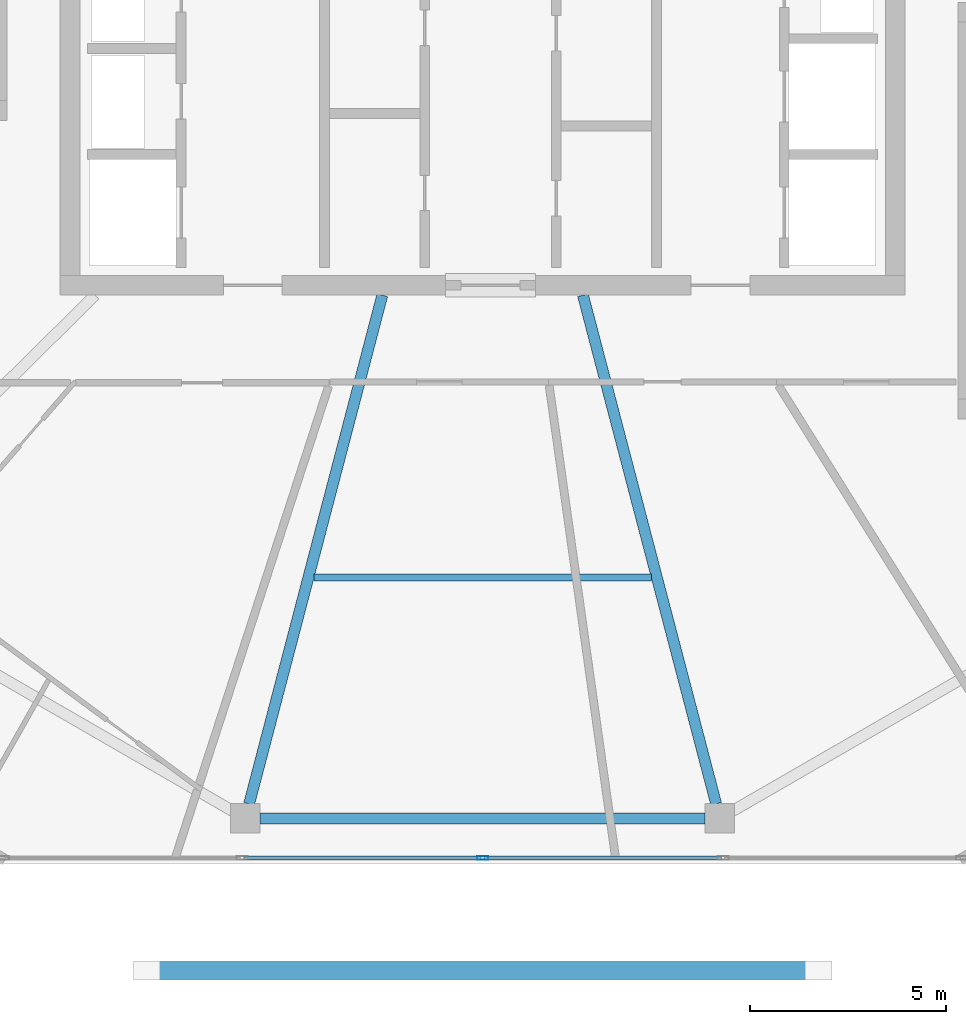
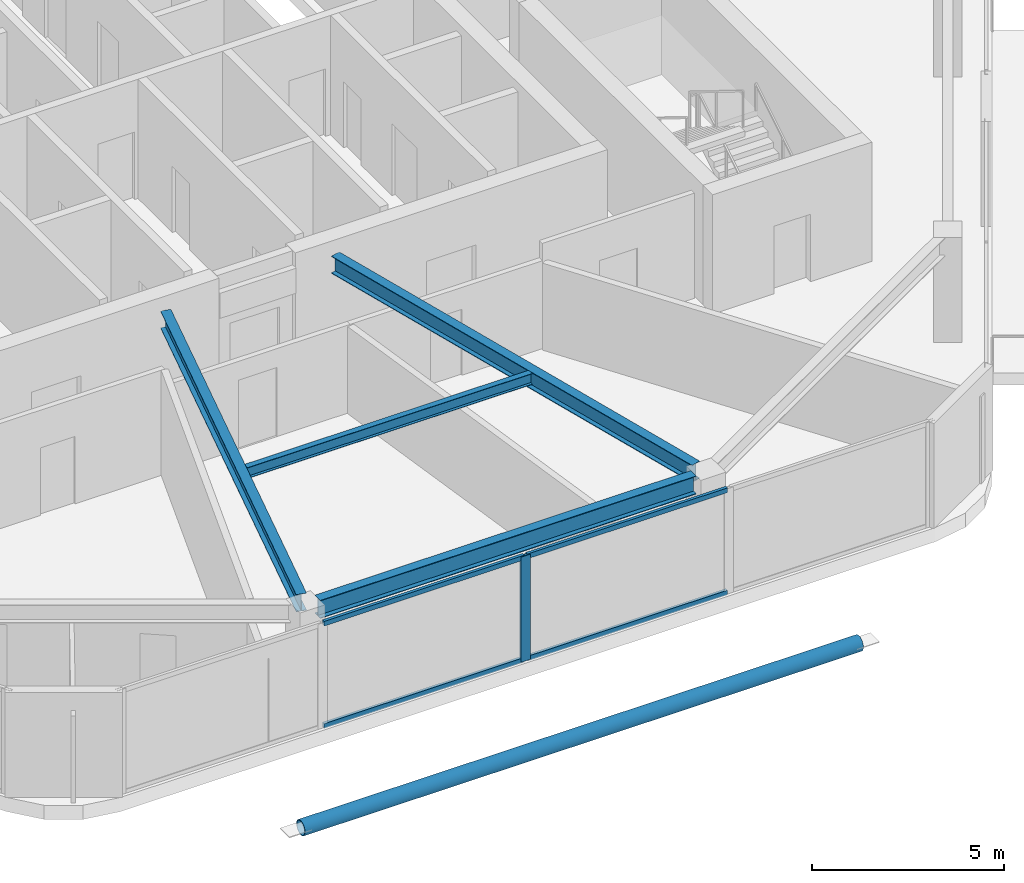
# One storey, part 4 of 22: 6 members, 4 beams, 1 element without a shape of its own.
"""IFC4 building model written with IfcOpenShell, lengths in metres."""

import ifcopenshell
import ifcopenshell.guid

model = None  # the IFC model being written
_history = None  # IfcOwnerHistory: only IFC2X3 demands one
_inside = {}  # id of a spatial element -> (the spatial element, [elements in it])
_under = {}  # id of a project, library or spatial element -> (it, [spatial elements below it])
_declared = {}  # id of a project -> (the project, [libraries it declares])
_typed = {}  # id of a type object -> (the type object, [elements of that type])
_made_of = {}  # id of a material, layer set ... -> (it, [elements and type objects made of it])


def new_model(schema):
    """Start an empty IFC model of exactly this schema.

    Asked for "IFC4X3", IfcOpenShell would pick the latest addendum, in which some entities
    have other attributes; the version numbers below select the first issue.
    IFC2X3 requires an IfcOwnerHistory on every rooted entity: one is made here for all.
    """
    global model, _history
    if schema == "IFC4X3":
        model = ifcopenshell.file(schema_version=(4, 3, 0, 0))
    else:
        model = ifcopenshell.file(schema=schema)
    _inside.clear()
    _under.clear()
    _declared.clear()
    _typed.clear()
    _made_of.clear()
    _history = None
    if model.schema == "IFC2X3":
        org = make("IfcOrganization", Name="unknown")
        user = make(
            "IfcPersonAndOrganization",
            ThePerson=make("IfcPerson", FamilyName="unknown"),
            TheOrganization=org,
        )
        app = make(
            "IfcApplication",
            ApplicationDeveloper=org,
            Version="unknown",
            ApplicationFullName="unknown",
            ApplicationIdentifier="unknown",
        )
        _history = make(
            "IfcOwnerHistory",
            OwningUser=user,
            OwningApplication=app,
            ChangeAction="ADDED",
            CreationDate=0,
        )
    return model


def make(cls, **values):
    """One entity of the class cls with the attributes given. An attribute that is None is left unset."""
    return model.create_entity(
        cls, **{name: value for name, value in values.items() if value is not None}
    )


def rooted(cls, **values):
    """An entity with a GlobalId (a new one), such as an element, a storey or a relation."""
    return make(cls, GlobalId=ifcopenshell.guid.new(), OwnerHistory=_history, **values)


def si_unit(unit_type, name, prefix=None):
    """IfcSIUnit, for example si_unit("LENGTHUNIT", "METRE", prefix="MILLI")."""
    return make("IfcSIUnit", UnitType=unit_type, Prefix=prefix, Name=name)


def assignment(units):
    """IfcUnitAssignment: the units of a project."""
    return None if units is None else make("IfcUnitAssignment", Units=units)


def point(xyz):
    """IfcCartesianPoint."""
    return None if xyz is None else make("IfcCartesianPoint", Coordinates=xyz)


def direction(xyz):
    """IfcDirection."""
    return None if xyz is None else make("IfcDirection", DirectionRatios=xyz)


def frame(location, z_axis=None, x_axis=None):
    """IfcAxis2Placement3D, a coordinate frame: its origin and axes. An axis left out is left unset."""
    return make(
        "IfcAxis2Placement3D",
        Location=point(location),
        Axis=direction(z_axis),
        RefDirection=direction(x_axis),
    )


def frame_2d(location, x_axis=None):
    """IfcAxis2Placement2D, a coordinate frame in the plane: its origin and x axis."""
    return make(
        "IfcAxis2Placement2D", Location=point(location), RefDirection=direction(x_axis)
    )


def origin():
    """The frame at (0, 0, 0) with its axes left unset."""
    return frame((0.0, 0.0, 0.0))


def origin_2d():
    """The frame at (0, 0) in the plane with its x axis left unset."""
    return frame_2d((0.0, 0.0))


def place(relative_to, where):
    """IfcLocalPlacement: puts the frame where relative to a parent placement (None: the world)."""
    return make(
        "IfcLocalPlacement", PlacementRelTo=relative_to, RelativePlacement=where
    )


def context(
    kind, dimensions, precision=None, world=None, true_north=None, identifier=None
):
    """IfcGeometricRepresentationContext, for example the 3D "Model" context."""
    return make(
        "IfcGeometricRepresentationContext",
        ContextIdentifier=identifier,
        ContextType=kind,
        CoordinateSpaceDimension=dimensions,
        Precision=precision,
        WorldCoordinateSystem=world,
        TrueNorth=true_north,
    )


def subcontext(parent, identifier, kind, view, scale=None):
    """IfcGeometricRepresentationSubContext, for example "Body" below "Model"."""
    return make(
        "IfcGeometricRepresentationSubContext",
        ContextIdentifier=identifier,
        ContextType=kind,
        ParentContext=parent,
        TargetScale=scale,
        TargetView=view,
    )


def project(units=None, contexts=None):
    """IfcProject with its units and contexts."""
    return rooted(
        "IfcProject",
        Name="project",
        RepresentationContexts=contexts,
        UnitsInContext=assignment(units),
    )


def spatial(cls, under=None, at=None, **own):
    """A site, building, storey or space (cls), placed at a placement, below another one or the project."""
    s = rooted(cls, ObjectPlacement=at, **own)
    if under is not None:
        _under.setdefault(under.id(), (under, []))[1].append(s)
    return s


def profile(cls, at=None, kind="AREA", **sizes):
    """A parametric profile (cls). Its sizes go by their IFC names, for example OverallWidth=200.0."""
    return make(cls, ProfileType=kind, Position=at, **sizes)


def hollow_rectangle(**sizes):
    """IfcRectangleHollowProfileDef."""
    return profile("IfcRectangleHollowProfileDef", **sizes)


def hollow_circle(**sizes):
    """IfcCircleHollowProfileDef."""
    return profile("IfcCircleHollowProfileDef", **sizes)


def i_section(**sizes):
    """IfcIShapeProfileDef."""
    return profile("IfcIShapeProfileDef", **sizes)


def extrude(swept, where, along, depth):
    """IfcExtrudedAreaSolid: the profile swept, set in the frame where, extruded along a direction by depth."""
    return make(
        "IfcExtrudedAreaSolid",
        SweptArea=swept,
        Position=where,
        ExtrudedDirection=direction(along),
        Depth=depth,
    )


def shape(context_of_items, identifier, shape_type, items):
    """IfcShapeRepresentation: the items that make up one representation, for example the "Body"."""
    return make(
        "IfcShapeRepresentation",
        ContextOfItems=context_of_items,
        RepresentationIdentifier=identifier,
        RepresentationType=shape_type,
        Items=items,
    )


def material(Name=None, Category=None):
    """IfcMaterial."""
    return make("IfcMaterial", Name=Name, Category=Category)


def material_profile(
    of_material, cross_section, Name=None, Category=None, Priority=None
):
    """IfcMaterialProfile: a cross section and its material."""
    return make(
        "IfcMaterialProfile",
        Name=Name,
        Material=of_material,
        Profile=cross_section,
        Priority=Priority,
        Category=Category,
    )


def profile_set(profiles, Name=None, composite=None):
    """IfcMaterialProfileSet."""
    return make(
        "IfcMaterialProfileSet",
        Name=Name,
        MaterialProfiles=profiles,
        CompositeProfile=composite,
    )


def made_of(thing, what):
    """Note that an element or type object is made of a material, layer set ...; save() writes the relation."""
    if what is not None:
        _made_of.setdefault(what.id(), (what, []))[1].append(thing)
    return thing


def type_object(cls, material=None, **own):
    """A type object (cls), such as IfcWallType, which elements share."""
    return made_of(rooted(cls, **own), material)


def element(
    cls,
    number,
    at=None,
    inside=None,
    cuts=None,
    type_object=None,
    material=None,
    context=None,
    identifier="Body",
    shape_type=None,
    held_by="IfcProductDefinitionShape",
    body=None,
    shapes=None,
    **own,
):
    """One element of the class cls, such as IfcWall. Its Tag is "e" and its number.

    at: its placement. inside: the storey or other place that contains it. cuts: it is an
    opening in that element (IfcRelVoidsElement). A single representation is given by context,
    identifier, shape_type and body (its items); several are given by shapes. held_by: the class
    of the entity that holds the representations. save() writes the other relations.
    """
    e = rooted(cls, Tag="e%d" % number, ObjectPlacement=at, **own)
    if body is not None:
        shapes = [shape(context, identifier, shape_type, body)]
    if shapes is not None:
        e.Representation = make(held_by, Representations=shapes)
    if inside is not None:
        _inside.setdefault(inside.id(), (inside, []))[1].append(e)
    if cuts is not None:
        rooted(
            "IfcRelVoidsElement", RelatingBuildingElement=cuts, RelatedOpeningElement=e
        )
    if type_object is not None:
        _typed.setdefault(type_object.id(), (type_object, []))[1].append(e)
    return made_of(e, material)


def aggregate(whole, parts):
    """IfcRelAggregates: a whole, such as a stair, and the parts it consists of."""
    return rooted("IfcRelAggregates", RelatingObject=whole, RelatedObjects=parts)


def save(model, path):
    """Write the relations noted so far, then the file.

    IfcRelAggregates (storeys below a building ...), IfcRelContainedInSpatialStructure (elements
    in a storey), IfcRelDefinesByType, IfcRelAssociatesMaterial and IfcRelDeclares: one each for
    every whole, place, type object, material and project.
    """
    for whole, parts in _under.values():
        aggregate(whole, parts)
    for where, things in _inside.values():
        rooted(
            "IfcRelContainedInSpatialStructure",
            RelatedElements=things,
            RelatingStructure=where,
        )
    for kind, things in _typed.values():
        rooted("IfcRelDefinesByType", RelatedObjects=things, RelatingType=kind)
    for what, things in _made_of.values():
        rooted("IfcRelAssociatesMaterial", RelatedObjects=things, RelatingMaterial=what)
    for by, libraries in _declared.values():
        rooted("IfcRelDeclares", RelatingContext=by, RelatedDefinitions=libraries)
    model.write(path)


model = new_model("IFC4")

# Units and contexts
model_context = context("Model", 3, precision=1e-05, world=origin(), true_north=direction((0.0, 1.0)))
body_context = subcontext(model_context, "Body", "Model", "MODEL_VIEW")
ifc_project = project(units=[si_unit("LENGTHUNIT", "METRE"), si_unit("AREAUNIT", "SQUARE_METRE"), si_unit("VOLUMEUNIT", "CUBIC_METRE"), si_unit("PLANEANGLEUNIT", "RADIAN"), si_unit("MASSUNIT", "GRAM", prefix="KILO")], contexts=[model_context])

# Site, building, storey
site_placement = place(None, origin())
site = spatial("IfcSite", under=ifc_project, at=site_placement, CompositionType="ELEMENT")
building_placement = place(site_placement, origin())
building = spatial("IfcBuilding", under=site, at=building_placement, Name="Zuhravey Tower", CompositionType="ELEMENT")
storey_placement = place(building_placement, frame((0.0, 0.0, 357.60009765625)))
storey = spatial("IfcBuildingStorey", under=building, at=storey_placement, Name="L91", CompositionType="ELEMENT", Elevation=357.60009765625)

# Curtain wall, members
ifc_material_1 = material(Name="Thermally broken anodised aluminium", Category="aluminium")
curtain_wall_type = type_object("IfcCurtainWallType", Name="Zone 3-4 High-Rise Curtain Wall CW4", PredefinedType="NOTDEFINED", material=ifc_material_1)
curtain_wall_placement = place(storey_placement, origin())
curtain_wall = element("IfcCurtainWall", 1, at=curtain_wall_placement, inside=storey, type_object=curtain_wall_type, Name="L91 CW4 CW-L91-F5-1", PredefinedType="NOTDEFINED")
ifc_material_2 = material(Name="Anodised aluminium", Category="aluminium")
ifc_material_profile_1 = material_profile(ifc_material_2, hollow_rectangle(XDim=0.090087890625, YDim=0.284912109375, WallThickness=0.0048828125, at=origin_2d()), Name="ALU-RHS-90x285x5")
ifc_profile_set_1 = profile_set([ifc_material_profile_1], Name="Anodised aluminium")
member_type_1 = type_object("IfcMemberType", Name="Curtain-Wall Mullion 90x180", PredefinedType="MULLION", material=ifc_profile_set_1)
member_1_placement = place(storey_placement, frame((36.0, 7.92578125, 0.0), z_axis=(0.0, 0.0, 1.0), x_axis=(0.0, -1.0, 0.0)))
member_1 = element("IfcMember", 2, at=member_1_placement, type_object=member_type_1, Name="CW4 mullion 3", PredefinedType="MULLION", context=body_context, shape_type="SweptSolid", body=[
    extrude(hollow_rectangle(XDim=0.090087890625, YDim=0.284912109375, WallThickness=0.0048828125, at=origin_2d()), origin(), (0.0, 0.0, 1.0), 3.349853515625),
])
ifc_material_profile_2 = material_profile(ifc_material_2, hollow_rectangle(XDim=0.090087890625, YDim=0.14990234375, WallThickness=0.0048828125, at=origin_2d()), Name="ALU-RHS-90x150x5")
ifc_profile_set_2 = profile_set([ifc_material_profile_2], Name="Anodised aluminium")
member_type_2 = type_object("IfcMemberType", Name="Curtain-Wall Transom 90x150", PredefinedType="USERDEFINED", material=ifc_profile_set_2)
member_2_placement = place(storey_placement, frame((42.07470703125, 7.92578125, 0.044921875), z_axis=(-1.0, 0.0, 0.0), x_axis=(0.0, -1.0, 0.0)))
member_2 = element("IfcMember", 3, at=member_2_placement, type_object=member_type_2, Name="CW4 transom 2.1", ObjectType="TRANSOM", PredefinedType="USERDEFINED", context=body_context, shape_type="SweptSolid", body=[
    extrude(hollow_rectangle(XDim=0.090087890625, YDim=0.14990234375, WallThickness=0.0048828125, at=origin_2d()), origin(), (0.0, 0.0, 1.0), 6.02978515625),
])
member_3_placement = place(storey_placement, frame((42.07470703125, 7.92578125, 3.304931640625), z_axis=(-1.0, 0.0, 0.0), x_axis=(0.0, -1.0, 0.0)))
member_3 = element("IfcMember", 4, at=member_3_placement, type_object=member_type_2, Name="CW4 transom 2.2", ObjectType="TRANSOM", PredefinedType="USERDEFINED", context=body_context, shape_type="SweptSolid", body=[
    extrude(hollow_rectangle(XDim=0.090087890625, YDim=0.14990234375, WallThickness=0.0048828125, at=origin_2d()), origin(), (0.0, 0.0, 1.0), 6.02978515625),
])
member_4_placement = place(storey_placement, frame((35.955078125, 7.92578125, 0.044921875), z_axis=(-1.0, 0.0, 0.0), x_axis=(0.0, -1.0, 0.0)))
member_4 = element("IfcMember", 5, at=member_4_placement, type_object=member_type_2, Name="CW4 transom 3.1", ObjectType="TRANSOM", PredefinedType="USERDEFINED", context=body_context, shape_type="SweptSolid", body=[
    extrude(hollow_rectangle(XDim=0.090087890625, YDim=0.14990234375, WallThickness=0.0048828125, at=origin_2d()), origin(), (0.0, 0.0, 1.0), 6.02978515625),
])
member_5_placement = place(storey_placement, frame((35.955078125, 7.92578125, 3.304931640625), z_axis=(-1.0, 0.0, 0.0), x_axis=(0.0, -1.0, 0.0)))
member_5 = element("IfcMember", 6, at=member_5_placement, type_object=member_type_2, Name="CW4 transom 3.2", ObjectType="TRANSOM", PredefinedType="USERDEFINED", context=body_context, shape_type="SweptSolid", body=[
    extrude(hollow_rectangle(XDim=0.090087890625, YDim=0.14990234375, WallThickness=0.0048828125, at=origin_2d()), origin(), (0.0, 0.0, 1.0), 6.02978515625),
])
aggregate(curtain_wall, [member_1, member_2, member_3, member_4, member_5])

# Member
ifc_material_3 = material(Name="Steel SM355", Category="steel")
ifc_material_profile_3 = material_profile(ifc_material_3, hollow_circle(Radius=0.228515625, WallThickness=0.02197265625, at=origin_2d()), Name="CHS-457.2x22")
ifc_profile_set_3 = profile_set([ifc_material_profile_3], Name="Steel SM355")
member_type_3 = type_object("IfcMemberType", Name="Exoskeleton Ring Tie CHS457x22", PredefinedType="CHORD", material=ifc_profile_set_3)
member_6_placement = place(storey_placement, frame((27.590576171875, 5.060791015625, -0.6640625), z_axis=(1.0, 0.0, 0.0), x_axis=(0.0, 1.0, 0.0)))
element("IfcMember", 7, at=member_6_placement, inside=storey, type_object=member_type_3, Name="L91 Exoskeleton Face 5 Tie EXR1", PredefinedType="CHORD", context=body_context, shape_type="SweptSolid", body=[
    extrude(hollow_circle(Radius=0.228515625, WallThickness=0.02197265625, at=origin_2d()), origin(), (0.0, 0.0, 1.0), 16.81884765625),
])

# Beams
ifc_material_profile_4 = material_profile(ifc_material_3, i_section(OverallWidth=0.280029296875, OverallDepth=0.580078125, WebThickness=0.011962890625, FlangeThickness=0.01904296875, at=origin_2d()), Name="H-580x280x12x19")
ifc_profile_set_4 = profile_set([ifc_material_profile_4], Name="Steel SM355")
beam_type_1 = type_object("IfcBeamType", Name="Perimeter Ring Beam H580x280", PredefinedType="BEAM", material=ifc_profile_set_4)
beam_1_placement = place(storey_placement, frame((30.33935546875, 8.935791015625, 3.059814453125), z_axis=(1.0, 0.0, 0.0), x_axis=(0.0, 1.0, 0.0)))
element("IfcBeam", 8, at=beam_1_placement, inside=storey, type_object=beam_type_1, Name="L91 PB4 BM-L91-PB-09", PredefinedType="BEAM", context=body_context, shape_type="SweptSolid", body=[
    extrude(i_section(OverallWidth=0.280029296875, OverallDepth=0.580078125, WebThickness=0.011962890625, FlangeThickness=0.01904296875, at=origin_2d()), origin(), (0.0, 0.0, 1.0), 11.3212890625),
])
ifc_material_profile_5 = material_profile(ifc_material_3, i_section(OverallWidth=0.280029296875, OverallDepth=0.550048828125, WebThickness=0.010986328125, FlangeThickness=0.01806640625, at=origin_2d()), Name="H-550x280x11x18")
ifc_profile_set_5 = profile_set([ifc_material_profile_5], Name="Steel SM355")
beam_type_2 = type_object("IfcBeamType", Name="Radial Primary Girder H550x280", PredefinedType="BEAM", material=ifc_profile_set_5)
for number, where, z_axis, x_axis, name in (
    (9, (33.446533203125, 22.2470703125, 3.074951171875), (-0.253282562653, -0.967392342049, 0.0), (0.967392342049, -0.253282562653, 0.0), "L91 RG4 BM-L91-RAD-09"),
    (10, (38.553466796875, 22.2470703125, 3.074951171875), (0.253282562653, -0.967392342049, 0.0), (0.967392342049, 0.253282562653, 0.0), "L91 RG4 BM-L91-RAD-10"),
):
    element("IfcBeam", number, at=place(storey_placement, frame(where, z_axis=z_axis, x_axis=x_axis)), inside=storey, type_object=beam_type_2, Name=name, PredefinedType="BEAM", context=body_context, shape_type="SweptSolid", body=[
        extrude(i_section(OverallWidth=0.280029296875, OverallDepth=0.550048828125, WebThickness=0.010986328125, FlangeThickness=0.01806640625, at=origin_2d()), origin(), (0.0, 0.0, 1.0), 13.3818359375),
    ])
ifc_material_profile_6 = material_profile(ifc_material_3, i_section(OverallWidth=0.175048828125, OverallDepth=0.35009765625, WebThickness=0.007080078125, FlangeThickness=0.010986328125, at=origin_2d()), Name="H-350x175x7x11")
ifc_profile_set_6 = profile_set([ifc_material_profile_6], Name="Steel SM355")
beam_type_3 = type_object("IfcBeamType", Name="Secondary Floor Joist H350x175", PredefinedType="JOIST", material=ifc_profile_set_6)
beam_2_placement = place(storey_placement, frame((31.70849609375, 15.05908203125, 3.1748046875), z_axis=(1.0, 0.0, 0.0), x_axis=(0.0, 1.0, 0.0)))
element("IfcBeam", 11, at=beam_2_placement, inside=storey, type_object=beam_type_3, Name="L91 SJ3 BM-L91-SJ-09-1", PredefinedType="JOIST", context=body_context, shape_type="SweptSolid", body=[
    extrude(i_section(OverallWidth=0.175048828125, OverallDepth=0.35009765625, WebThickness=0.007080078125, FlangeThickness=0.010986328125, at=origin_2d()), origin(), (0.0, 0.0, 1.0), 8.5830078125),
])

save(model, "model.ifc")
